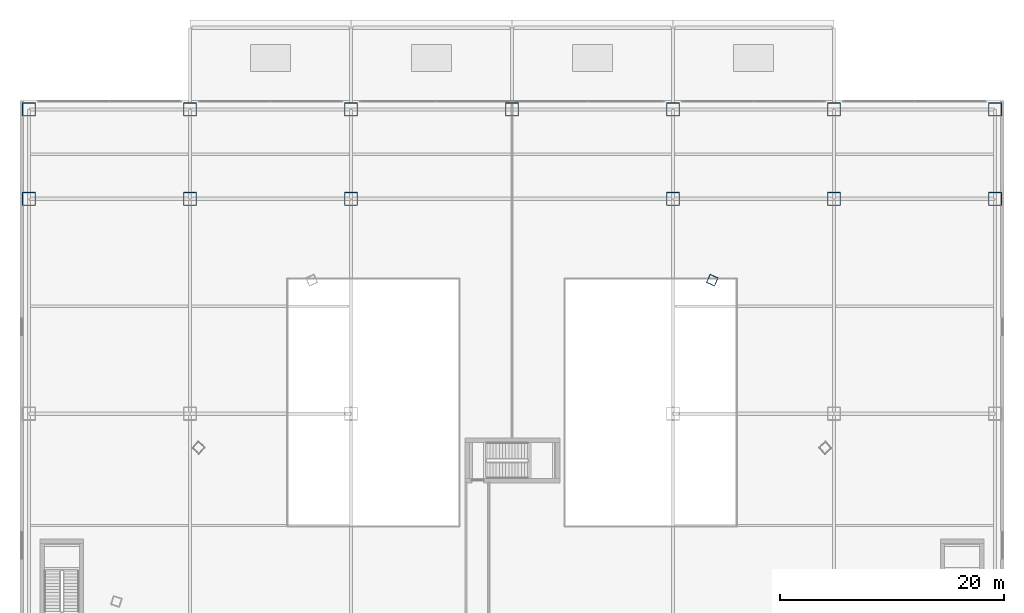
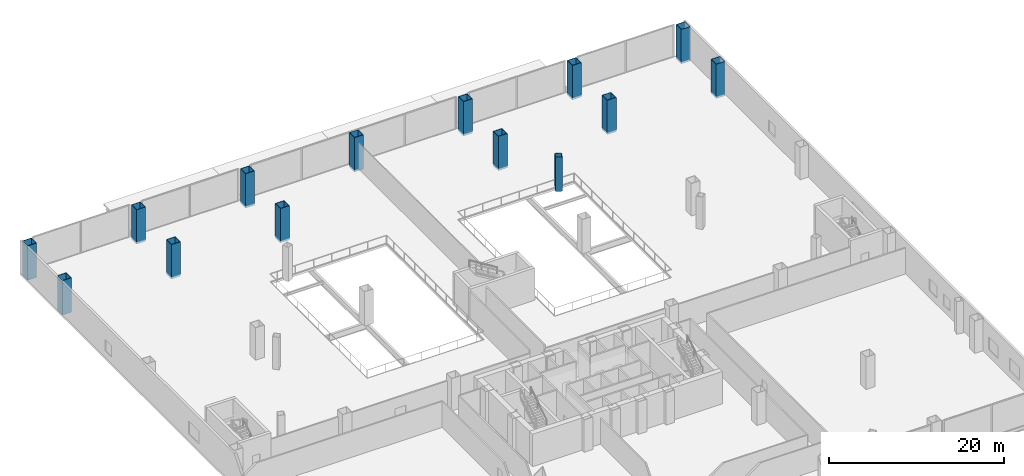
# One storey, part 2 of 42: 14 columns.
"""IFC4 building model written with IfcOpenShell, lengths in metres."""

import ifcopenshell
import ifcopenshell.guid

model = None  # the IFC model being written
_history = None  # IfcOwnerHistory: only IFC2X3 demands one
_inside = {}  # id of a spatial element -> (the spatial element, [elements in it])
_under = {}  # id of a project, library or spatial element -> (it, [spatial elements below it])
_declared = {}  # id of a project -> (the project, [libraries it declares])
_typed = {}  # id of a type object -> (the type object, [elements of that type])
_made_of = {}  # id of a material, layer set ... -> (it, [elements and type objects made of it])


def new_model(schema):
    """Start an empty IFC model of exactly this schema.

    Asked for "IFC4X3", IfcOpenShell would pick the latest addendum, in which some entities
    have other attributes; the version numbers below select the first issue.
    IFC2X3 requires an IfcOwnerHistory on every rooted entity: one is made here for all.
    """
    global model, _history
    if schema == "IFC4X3":
        model = ifcopenshell.file(schema_version=(4, 3, 0, 0))
    else:
        model = ifcopenshell.file(schema=schema)
    _inside.clear()
    _under.clear()
    _declared.clear()
    _typed.clear()
    _made_of.clear()
    _history = None
    if model.schema == "IFC2X3":
        org = make("IfcOrganization", Name="unknown")
        user = make(
            "IfcPersonAndOrganization",
            ThePerson=make("IfcPerson", FamilyName="unknown"),
            TheOrganization=org,
        )
        app = make(
            "IfcApplication",
            ApplicationDeveloper=org,
            Version="unknown",
            ApplicationFullName="unknown",
            ApplicationIdentifier="unknown",
        )
        _history = make(
            "IfcOwnerHistory",
            OwningUser=user,
            OwningApplication=app,
            ChangeAction="ADDED",
            CreationDate=0,
        )
    return model


def make(cls, **values):
    """One entity of the class cls with the attributes given. An attribute that is None is left unset."""
    return model.create_entity(
        cls, **{name: value for name, value in values.items() if value is not None}
    )


def rooted(cls, **values):
    """An entity with a GlobalId (a new one), such as an element, a storey or a relation."""
    return make(cls, GlobalId=ifcopenshell.guid.new(), OwnerHistory=_history, **values)


def si_unit(unit_type, name, prefix=None):
    """IfcSIUnit, for example si_unit("LENGTHUNIT", "METRE", prefix="MILLI")."""
    return make("IfcSIUnit", UnitType=unit_type, Prefix=prefix, Name=name)


def assignment(units):
    """IfcUnitAssignment: the units of a project."""
    return None if units is None else make("IfcUnitAssignment", Units=units)


def point(xyz):
    """IfcCartesianPoint."""
    return None if xyz is None else make("IfcCartesianPoint", Coordinates=xyz)


def direction(xyz):
    """IfcDirection."""
    return None if xyz is None else make("IfcDirection", DirectionRatios=xyz)


def frame(location, z_axis=None, x_axis=None):
    """IfcAxis2Placement3D, a coordinate frame: its origin and axes. An axis left out is left unset."""
    return make(
        "IfcAxis2Placement3D",
        Location=point(location),
        Axis=direction(z_axis),
        RefDirection=direction(x_axis),
    )


def frame_2d(location, x_axis=None):
    """IfcAxis2Placement2D, a coordinate frame in the plane: its origin and x axis."""
    return make(
        "IfcAxis2Placement2D", Location=point(location), RefDirection=direction(x_axis)
    )


def origin():
    """The frame at (0, 0, 0) with its axes left unset."""
    return frame((0.0, 0.0, 0.0))


def origin_2d():
    """The frame at (0, 0) in the plane with its x axis left unset."""
    return frame_2d((0.0, 0.0))


def place(relative_to, where):
    """IfcLocalPlacement: puts the frame where relative to a parent placement (None: the world)."""
    return make(
        "IfcLocalPlacement", PlacementRelTo=relative_to, RelativePlacement=where
    )


def context(
    kind, dimensions, precision=None, world=None, true_north=None, identifier=None
):
    """IfcGeometricRepresentationContext, for example the 3D "Model" context."""
    return make(
        "IfcGeometricRepresentationContext",
        ContextIdentifier=identifier,
        ContextType=kind,
        CoordinateSpaceDimension=dimensions,
        Precision=precision,
        WorldCoordinateSystem=world,
        TrueNorth=true_north,
    )


def subcontext(parent, identifier, kind, view, scale=None):
    """IfcGeometricRepresentationSubContext, for example "Body" below "Model"."""
    return make(
        "IfcGeometricRepresentationSubContext",
        ContextIdentifier=identifier,
        ContextType=kind,
        ParentContext=parent,
        TargetScale=scale,
        TargetView=view,
    )


def project(units=None, contexts=None):
    """IfcProject with its units and contexts."""
    return rooted(
        "IfcProject",
        Name="project",
        RepresentationContexts=contexts,
        UnitsInContext=assignment(units),
    )


def spatial(cls, under=None, at=None, **own):
    """A site, building, storey or space (cls), placed at a placement, below another one or the project."""
    s = rooted(cls, ObjectPlacement=at, **own)
    if under is not None:
        _under.setdefault(under.id(), (under, []))[1].append(s)
    return s


def profile(cls, at=None, kind="AREA", **sizes):
    """A parametric profile (cls). Its sizes go by their IFC names, for example OverallWidth=200.0."""
    return make(cls, ProfileType=kind, Position=at, **sizes)


def hollow_rectangle(**sizes):
    """IfcRectangleHollowProfileDef."""
    return profile("IfcRectangleHollowProfileDef", **sizes)


def extrude(swept, where, along, depth):
    """IfcExtrudedAreaSolid: the profile swept, set in the frame where, extruded along a direction by depth."""
    return make(
        "IfcExtrudedAreaSolid",
        SweptArea=swept,
        Position=where,
        ExtrudedDirection=direction(along),
        Depth=depth,
    )


def shape(context_of_items, identifier, shape_type, items):
    """IfcShapeRepresentation: the items that make up one representation, for example the "Body"."""
    return make(
        "IfcShapeRepresentation",
        ContextOfItems=context_of_items,
        RepresentationIdentifier=identifier,
        RepresentationType=shape_type,
        Items=items,
    )


def source(mapping_origin, context_of_items, identifier, shape_type, items):
    """IfcRepresentationMap: a shape defined once, which mapped items show again and again."""
    return make(
        "IfcRepresentationMap",
        MappingOrigin=mapping_origin,
        MappedRepresentation=shape(context_of_items, identifier, shape_type, items),
    )


def transform(
    local_origin,
    x_axis=None,
    y_axis=None,
    z_axis=None,
    scale=None,
    scale2=None,
    scale3=None,
    uniform=True,
):
    """IfcCartesianTransformationOperator3D, or its non-uniform kind. x_axis, y_axis, z_axis: its Axis1, 2, 3."""
    if uniform:
        return make(
            "IfcCartesianTransformationOperator3D",
            Axis1=direction(x_axis),
            Axis2=direction(y_axis),
            LocalOrigin=point(local_origin),
            Scale=scale,
            Axis3=direction(z_axis),
        )
    return make(
        "IfcCartesianTransformationOperator3DnonUniform",
        Axis1=direction(x_axis),
        Axis2=direction(y_axis),
        LocalOrigin=point(local_origin),
        Scale=scale,
        Axis3=direction(z_axis),
        Scale2=scale2,
        Scale3=scale3,
    )


def mapped(mapping_source, mapping_target):
    """IfcMappedItem: shows the shape of a source again, moved by a transform."""
    return make(
        "IfcMappedItem", MappingSource=mapping_source, MappingTarget=mapping_target
    )


def material(Name=None, Category=None):
    """IfcMaterial."""
    return make("IfcMaterial", Name=Name, Category=Category)


def material_profile(
    of_material, cross_section, Name=None, Category=None, Priority=None
):
    """IfcMaterialProfile: a cross section and its material."""
    return make(
        "IfcMaterialProfile",
        Name=Name,
        Material=of_material,
        Profile=cross_section,
        Priority=Priority,
        Category=Category,
    )


def profile_set(profiles, Name=None, composite=None):
    """IfcMaterialProfileSet."""
    return make(
        "IfcMaterialProfileSet",
        Name=Name,
        MaterialProfiles=profiles,
        CompositeProfile=composite,
    )


def made_of(thing, what):
    """Note that an element or type object is made of a material, layer set ...; save() writes the relation."""
    if what is not None:
        _made_of.setdefault(what.id(), (what, []))[1].append(thing)
    return thing


def type_object(cls, material=None, **own):
    """A type object (cls), such as IfcWallType, which elements share."""
    return made_of(rooted(cls, **own), material)


def element(
    cls,
    number,
    at=None,
    inside=None,
    cuts=None,
    type_object=None,
    material=None,
    context=None,
    identifier="Body",
    shape_type=None,
    held_by="IfcProductDefinitionShape",
    body=None,
    shapes=None,
    **own,
):
    """One element of the class cls, such as IfcWall. Its Tag is "e" and its number.

    at: its placement. inside: the storey or other place that contains it. cuts: it is an
    opening in that element (IfcRelVoidsElement). A single representation is given by context,
    identifier, shape_type and body (its items); several are given by shapes. held_by: the class
    of the entity that holds the representations. save() writes the other relations.
    """
    e = rooted(cls, Tag="e%d" % number, ObjectPlacement=at, **own)
    if body is not None:
        shapes = [shape(context, identifier, shape_type, body)]
    if shapes is not None:
        e.Representation = make(held_by, Representations=shapes)
    if inside is not None:
        _inside.setdefault(inside.id(), (inside, []))[1].append(e)
    if cuts is not None:
        rooted(
            "IfcRelVoidsElement", RelatingBuildingElement=cuts, RelatedOpeningElement=e
        )
    if type_object is not None:
        _typed.setdefault(type_object.id(), (type_object, []))[1].append(e)
    return made_of(e, material)


def aggregate(whole, parts):
    """IfcRelAggregates: a whole, such as a stair, and the parts it consists of."""
    return rooted("IfcRelAggregates", RelatingObject=whole, RelatedObjects=parts)


def save(model, path):
    """Write the relations noted so far, then the file.

    IfcRelAggregates (storeys below a building ...), IfcRelContainedInSpatialStructure (elements
    in a storey), IfcRelDefinesByType, IfcRelAssociatesMaterial and IfcRelDeclares: one each for
    every whole, place, type object, material and project.
    """
    for whole, parts in _under.values():
        aggregate(whole, parts)
    for where, things in _inside.values():
        rooted(
            "IfcRelContainedInSpatialStructure",
            RelatedElements=things,
            RelatingStructure=where,
        )
    for kind, things in _typed.values():
        rooted("IfcRelDefinesByType", RelatedObjects=things, RelatingType=kind)
    for what, things in _made_of.values():
        rooted("IfcRelAssociatesMaterial", RelatedObjects=things, RelatingMaterial=what)
    for by, libraries in _declared.values():
        rooted("IfcRelDeclares", RelatingContext=by, RelatedDefinitions=libraries)
    model.write(path)


model = new_model("IFC4")

# Units and contexts
model_context = context("Model", 3, precision=1e-05, world=origin(), true_north=direction((0.0, 1.0)))
body_context = subcontext(model_context, "Body", "Model", "MODEL_VIEW")
ifc_project = project(units=[si_unit("LENGTHUNIT", "METRE"), si_unit("AREAUNIT", "SQUARE_METRE"), si_unit("VOLUMEUNIT", "CUBIC_METRE"), si_unit("PLANEANGLEUNIT", "RADIAN"), si_unit("MASSUNIT", "GRAM", prefix="KILO"), si_unit("THERMODYNAMICTEMPERATUREUNIT", "KELVIN"), si_unit("POWERUNIT", "WATT")], contexts=[model_context])

# Site, building, storey
site_placement = place(None, origin())
site = spatial("IfcSite", under=ifc_project, at=site_placement, CompositionType="ELEMENT")
building_placement = place(site_placement, origin())
building = spatial("IfcBuilding", under=site, at=building_placement, Name="Yunzhuo Pagoda Commons", CompositionType="ELEMENT")
storey_placement = place(building_placement, frame((0.0, 0.0, 4.800048828125)))
storey = spatial("IfcBuildingStorey", under=building, at=storey_placement, Name="L02", CompositionType="ELEMENT", Elevation=4.800048828125)

# Columns
ifc_material = material(Name="Structural steel Q420B", Category="steel")
ifc_material_profile_1 = material_profile(ifc_material, hollow_rectangle(XDim=1.199951171875, YDim=1.199951171875, WallThickness=0.050048828125, at=origin_2d()), Name="Structural steel Q420B")
ifc_profile_set_1 = profile_set([ifc_material_profile_1], Name="Structural steel Q420B")
column_type_1 = type_object("IfcColumnType", Name="C-POD Column BOX 1200x1200x50", PredefinedType="COLUMN", material=ifc_profile_set_1)
shared_shape_1 = source(origin(), body_context, "Body", "SweptSolid", [
    extrude(hollow_rectangle(XDim=1.199951171875, YDim=1.199951171875, WallThickness=0.050048828125, at=origin_2d()), origin(), (0.0, 0.0, 1.0), 4.7998046875),
])
for number, where, z_axis, x_axis, name in (
    (1, (4.800048828125, 81.199951171875, -0.27978515625), (0.0, 0.0, 1.0), (1.0, 0.0, 0.0), "L02 podium column P1_5"),
    (2, (19.199951171875, 81.199951171875, -0.27978515625), (0.0, 0.0, 1.0), (1.0, 0.0, 0.0), "L02 podium column P2_5"),
    (3, (33.60009765625, 81.199951171875, -0.27978515625), (0.0, 0.0, 1.0), (1.0, 0.0, 0.0), "L02 podium column P3_5"),
    (4, (62.39990234375, 81.199951171875, -0.27978515625), (0.0, 0.0, 1.0), (1.0, 0.0, 0.0), "L02 podium column P4_5"),
    (5, (76.800048828125, 81.199951171875, -0.27978515625), (0.0, 0.0, 1.0), (1.0, 0.0, 0.0), "L02 podium column P5_5"),
    (6, (91.199951171875, 81.199951171875, -0.27978515625), (0.0, 0.0, 1.0), (1.0, 0.0, 0.0), "L02 podium column P6_5"),
    (7, (4.800048828125, 89.199951171875, -0.27978515625), (0.0, 0.0, 1.0), (1.0, 0.0, 0.0), "L02 north riverfront column NR1"),
    (8, (19.199951171875, 89.199951171875, -0.27978515625), (0.0, 0.0, 1.0), (1.0, 0.0, 0.0), "L02 north riverfront column NR2"),
    (9, (33.60009765625, 89.199951171875, -0.27978515625), (0.0, 0.0, 1.0), (1.0, 0.0, 0.0), "L02 north riverfront column NR3"),
    (10, (48.0, 89.199951171875, -0.27978515625), (0.0, 0.0, 1.0), (1.0, 0.0, 0.0), "L02 north riverfront column NR4"),
    (11, (62.39990234375, 89.199951171875, -0.27978515625), (0.0, 0.0, 1.0), (1.0, 0.0, 0.0), "L02 north riverfront column NR5"),
    (12, (76.800048828125, 89.199951171875, -0.27978515625), (0.0, 0.0, 1.0), (1.0, 0.0, 0.0), "L02 north riverfront column NR6"),
    (13, (91.199951171875, 89.199951171875, -0.27978515625), (0.0, 0.0, 1.0), (1.0, 0.0, 0.0), "L02 north riverfront column NR7"),
):
    element("IfcColumn", number, at=place(storey_placement, frame(where, z_axis=z_axis, x_axis=x_axis)), inside=storey, type_object=column_type_1, Name=name, PredefinedType="COLUMN", context=body_context, shape_type="MappedRepresentation", body=[
        mapped(shared_shape_1, transform((0.0, 0.0, 0.0), scale=1.0)),
    ])
ifc_material_profile_2 = material_profile(ifc_material, hollow_rectangle(XDim=0.800048828125, YDim=0.800048828125, WallThickness=0.031982421875, at=origin_2d()), Name="Structural steel Q420B")
ifc_profile_set_2 = profile_set([ifc_material_profile_2], Name="Structural steel Q420B")
column_type_2 = type_object("IfcColumnType", Name="C-BUT Column BOX 800x800x32", PredefinedType="COLUMN", material=ifc_profile_set_2)
shared_shape_2 = source(origin(), body_context, "Body", "SweptSolid", [
    extrude(hollow_rectangle(XDim=0.800048828125, YDim=0.800048828125, WallThickness=0.031982421875, at=origin_2d()), origin(), (0.0, 0.0, 1.0), 4.7998046875),
])
column_placement = place(storey_placement, frame((65.91259765625, 73.931884765625, -0.27978515625), z_axis=(0.0, 0.0, 1.0), x_axis=(-0.913545457643, 0.406736643076, 0.0)))
element("IfcColumn", 14, at=column_placement, inside=storey, type_object=column_type_2, Name="L02 podium transfer support column PR_F2C4", PredefinedType="COLUMN", context=body_context, shape_type="MappedRepresentation", body=[
    mapped(shared_shape_2, transform((0.0, 0.0, 0.0), scale=1.0)),
])

save(model, "model.ifc")
